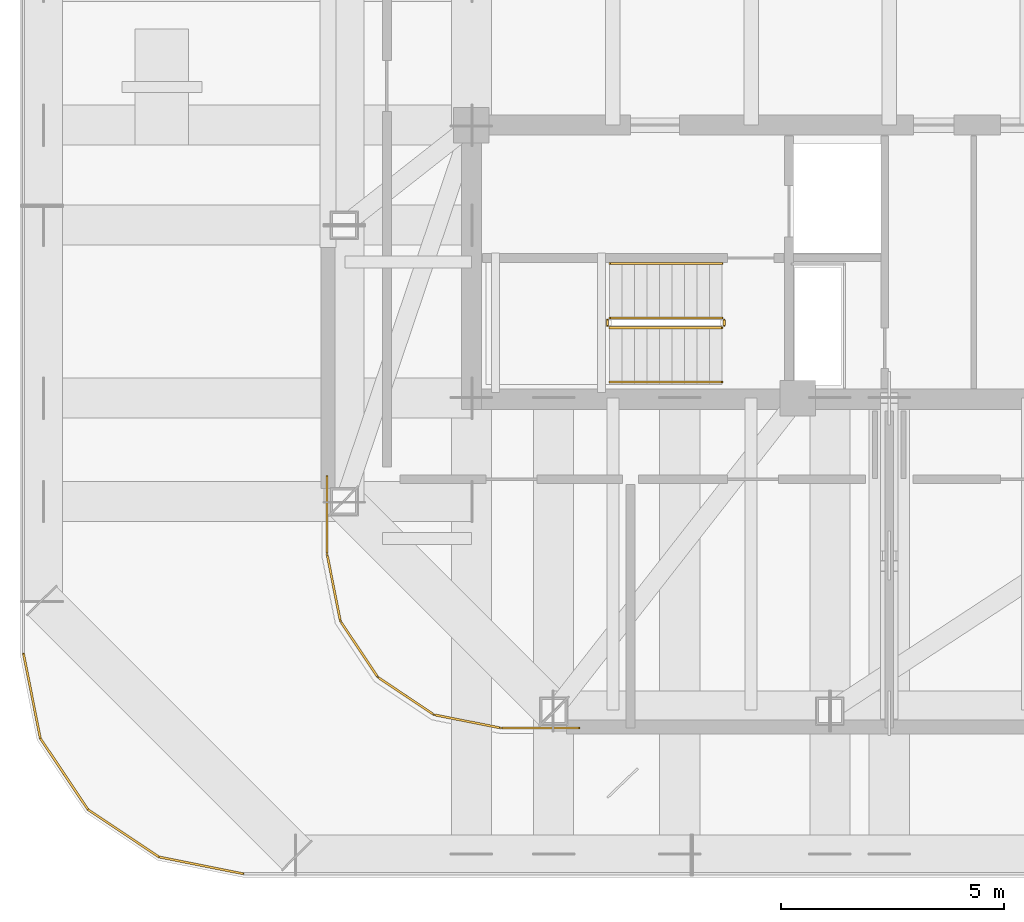
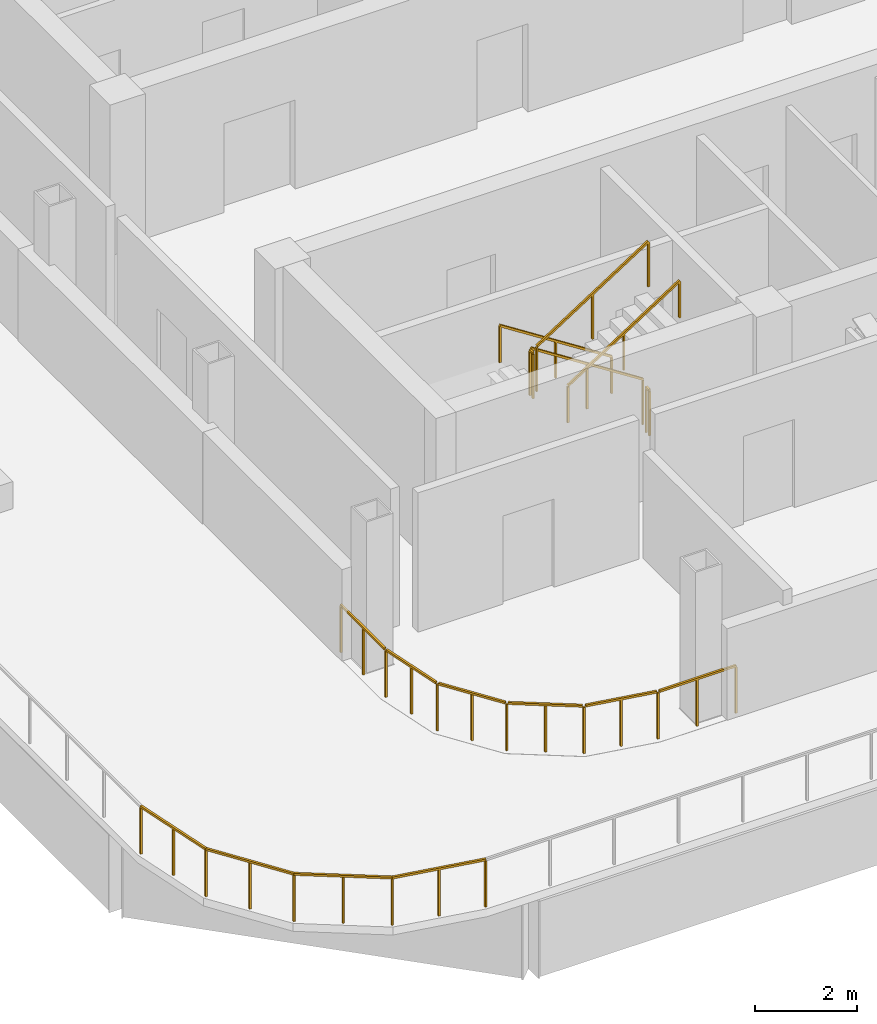
# One storey, part 7 of 10: 11 railings.
"""IFC4 building model written with IfcOpenShell, lengths in metres."""

from ifc_helpers import new_model, si_unit, direction, frame, origin, origin_2d, place, context, subcontext, project, spatial, rectangle, extrude, material, type_object, element, save


model = new_model("IFC4")

# Units and contexts
model_context = context("Model", 3, precision=1e-05, world=origin(), true_north=direction((0.0, 1.0)))
body_context = subcontext(model_context, "Body", "Model", "MODEL_VIEW")
ifc_project = project(units=[si_unit("LENGTHUNIT", "METRE"), si_unit("AREAUNIT", "SQUARE_METRE"), si_unit("VOLUMEUNIT", "CUBIC_METRE"), si_unit("PLANEANGLEUNIT", "RADIAN"), si_unit("MASSUNIT", "GRAM", prefix="KILO")], contexts=[model_context])

# Site, building, storey
site_placement = place(None, origin())
site = spatial("IfcSite", under=ifc_project, at=site_placement, CompositionType="ELEMENT")
building_placement = place(site_placement, origin())
building = spatial("IfcBuilding", under=site, at=building_placement, Name="Qhalaya Broadcast Tower", CompositionType="ELEMENT")
storey_placement = place(building_placement, frame((0.0, 0.0, 231.300048828125)))
storey = spatial("IfcBuildingStorey", under=building, at=storey_placement, Name="L68", CompositionType="ELEMENT", Elevation=231.300048828125)

# Railings
ifc_material = material(Name="Powder-Coated Galvanised Steel", Category="steel")
railing_type_1 = type_object("IfcRailingType", Name="Stair Wall Handrail 900", PredefinedType="HANDRAIL", material=ifc_material)
railing_1_placement = place(storey_placement, frame((-3.75, -5.72998046875, 0.179931640625)))
element("IfcRailing", 1, at=railing_1_placement, inside=storey, type_object=railing_type_1, Name="L68 ST-2 Stair Handrail 1", PredefinedType="HANDRAIL", context=body_context, shape_type="SweptSolid", body=[
    extrude(rectangle(XDim=0.048095703125, YDim=0.048095703125, at=origin_2d()), frame((0.0, 0.0, 0.8759765625), z_axis=(-0.841162588446, 0.0, 0.540782303519), x_axis=(0.0, -1.0, 0.0)), (0.0, 0.0, 1.0), 2.995849609375),
    extrude(rectangle(XDim=0.0419921875, YDim=0.0419921875, at=origin_2d()), origin(), (0.0, 0.0, 1.0), 0.849853515625),
    extrude(rectangle(XDim=0.0419921875, YDim=0.0419921875, at=origin_2d()), frame((-1.260009765625, 0.0, 0.81005859375)), (0.0, 0.0, 1.0), 0.849853515625),
    extrude(rectangle(XDim=0.0419921875, YDim=0.0419921875, at=origin_2d()), frame((-2.52001953125, 0.0, 1.6201171875)), (0.0, 0.0, 1.0), 0.849853515625),
])
railing_2_placement = place(storey_placement, frame((-6.27001953125, -8.389892578125, 1.97998046875)))
element("IfcRailing", 2, at=railing_2_placement, inside=storey, type_object=railing_type_1, Name="L68 ST-2 Stair Handrail 2", PredefinedType="HANDRAIL", context=body_context, shape_type="SweptSolid", body=[
    extrude(rectangle(XDim=0.048095703125, YDim=0.048095703125, at=origin_2d()), frame((0.0, 0.0, 0.8759765625), z_axis=(0.841199657755, 0.0, 0.540724639528), x_axis=(0.0, 1.0, 0.0)), (0.0, 0.0, 1.0), 2.995849609375),
    extrude(rectangle(XDim=0.0419921875, YDim=0.0419921875, at=origin_2d()), origin(), (0.0, 0.0, 1.0), 0.849853515625),
    extrude(rectangle(XDim=0.0419921875, YDim=0.0419921875, at=origin_2d()), frame((1.260009765625, 0.0, 0.81005859375)), (0.0, 0.0, 1.0), 0.849853515625),
    extrude(rectangle(XDim=0.0419921875, YDim=0.0419921875, at=origin_2d()), frame((2.52001953125, 0.0, 1.619873046875)), (0.0, 0.0, 1.0), 0.849853515625),
])
railing_type_2 = type_object("IfcRailingType", Name="Stair Well & Landing Guardrail 1100", PredefinedType="GUARDRAIL", material=ifc_material)
railing_3_placement = place(storey_placement, frame((-3.75, -6.949951171875, 0.179931640625)))
element("IfcRailing", 3, at=railing_3_placement, inside=storey, type_object=railing_type_2, Name="L68 ST-2 Stair Guard 1", PredefinedType="GUARDRAIL", context=body_context, shape_type="SweptSolid", body=[
    extrude(rectangle(XDim=0.048095703125, YDim=0.048095703125, at=origin_2d()), frame((0.0, 0.0, 1.076171875), z_axis=(-0.841162588446, 0.0, 0.540782303519), x_axis=(0.0, -1.0, 0.0)), (0.0, 0.0, 1.0), 2.995849609375),
    extrude(rectangle(XDim=0.0419921875, YDim=0.0419921875, at=origin_2d()), origin(), (0.0, 0.0, 1.0), 1.050048828125),
    extrude(rectangle(XDim=0.0419921875, YDim=0.0419921875, at=origin_2d()), frame((-1.260009765625, 0.0, 0.81005859375)), (0.0, 0.0, 1.0), 1.050048828125),
    extrude(rectangle(XDim=0.0419921875, YDim=0.0419921875, at=origin_2d()), frame((-2.52001953125, 0.0, 1.6201171875)), (0.0, 0.0, 1.0), 1.050048828125),
])
railing_4_placement = place(storey_placement, frame((-6.320068359375, -7.0, 1.800048828125)))
element("IfcRailing", 4, at=railing_4_placement, inside=storey, type_object=railing_type_2, Name="L68 ST-2 Stair Guard 2", PredefinedType="GUARDRAIL", context=body_context, shape_type="SweptSolid", body=[
    extrude(rectangle(XDim=0.048095703125, YDim=0.048095703125, at=origin_2d()), frame((0.0, 0.0, 1.076171875), z_axis=(0.0, -1.0, 0.0), x_axis=(1.0, 0.0, 0.0)), (0.0, 0.0, 1.0), 0.1201171875),
    extrude(rectangle(XDim=0.0419921875, YDim=0.0419921875, at=origin_2d()), origin(), (0.0, 0.0, 1.0), 1.050048828125),
    extrude(rectangle(XDim=0.0419921875, YDim=0.0419921875, at=origin_2d()), frame((0.0, -0.1201171875, 0.0)), (0.0, 0.0, 1.0), 1.050048828125),
])
railing_5_placement = place(storey_placement, frame((-6.27001953125, -7.169921875, 1.97998046875)))
element("IfcRailing", 5, at=railing_5_placement, inside=storey, type_object=railing_type_2, Name="L68 ST-2 Stair Guard 3", PredefinedType="GUARDRAIL", context=body_context, shape_type="SweptSolid", body=[
    extrude(rectangle(XDim=0.048095703125, YDim=0.048095703125, at=origin_2d()), frame((0.0, 0.0, 1.076171875), z_axis=(0.841199657755, 0.0, 0.540724639528), x_axis=(0.0, 1.0, 0.0)), (0.0, 0.0, 1.0), 2.995849609375),
    extrude(rectangle(XDim=0.0419921875, YDim=0.0419921875, at=origin_2d()), origin(), (0.0, 0.0, 1.0), 1.050048828125),
    extrude(rectangle(XDim=0.0419921875, YDim=0.0419921875, at=origin_2d()), frame((1.260009765625, 0.0, 0.81005859375)), (0.0, 0.0, 1.0), 1.050048828125),
    extrude(rectangle(XDim=0.0419921875, YDim=0.0419921875, at=origin_2d()), frame((2.52001953125, 0.0, 1.619873046875)), (0.0, 0.0, 1.0), 1.050048828125),
])
railing_6_placement = place(storey_placement, frame((-3.699951171875, -7.0, 0.0)))
element("IfcRailing", 6, at=railing_6_placement, inside=storey, type_object=railing_type_2, Name="L68 ST-2 Stair Guard 4", PredefinedType="GUARDRAIL", context=body_context, shape_type="SweptSolid", body=[
    extrude(rectangle(XDim=0.048095703125, YDim=0.048095703125, at=origin_2d()), frame((0.0, 0.0, 1.076171875), z_axis=(0.0, -1.0, 0.0), x_axis=(1.0, 0.0, 0.0)), (0.0, 0.0, 1.0), 0.1201171875),
    extrude(rectangle(XDim=0.0419921875, YDim=0.0419921875, at=origin_2d()), origin(), (0.0, 0.0, 1.0), 1.050048828125),
    extrude(rectangle(XDim=0.0419921875, YDim=0.0419921875, at=origin_2d()), frame((0.0, -0.1201171875, 0.0)), (0.0, 0.0, 1.0), 1.050048828125),
])
railing_type_3 = type_object("IfcRailingType", Name="Terrace, Sky-Pool & Lookout Glass Balustrade 1150", PredefinedType="BALUSTRADE", material=ifc_material)
railing_7_placement = place(storey_placement, frame((-14.4921875, -19.419921875, 0.0)))
element("IfcRailing", 7, at=railing_7_placement, inside=storey, type_object=railing_type_3, Name="L68 Perimeter Safety Balustrade BAL-TER1-02", PredefinedType="BALUSTRADE", context=body_context, shape_type="SweptSolid", body=[
    extrude(rectangle(XDim=0.048095703125, YDim=0.048095703125, at=origin_2d()), frame((0.0, 0.0, 1.1259765625), z_axis=(-0.980779962021, 0.195117057423, 0.0), x_axis=(-0.195117057423, -0.980779962021, 0.0)), (0.0, 0.0, 1.0), 1.927001953125),
    extrude(rectangle(XDim=0.0419921875, YDim=0.0419921875, at=origin_2d()), origin(), (0.0, 0.0, 1.0), 1.099853515625),
    extrude(rectangle(XDim=0.0419921875, YDim=0.0419921875, at=origin_2d()), frame((-0.94482421875, 0.18798828125, 0.0)), (0.0, 0.0, 1.0), 1.099853515625),
    extrude(rectangle(XDim=0.0419921875, YDim=0.0419921875, at=origin_2d()), frame((-1.889892578125, 0.3759765625, 0.0)), (0.0, 0.0, 1.0), 1.099853515625),
])
railing_8_placement = place(storey_placement, frame((-16.382080078125, -19.0439453125, 0.0)))
element("IfcRailing", 8, at=railing_8_placement, inside=storey, type_object=railing_type_3, Name="L68 Perimeter Safety Balustrade BAL-TER1-03", PredefinedType="BALUSTRADE", context=body_context, shape_type="SweptSolid", body=[
    extrude(rectangle(XDim=0.048095703125, YDim=0.048095703125, at=origin_2d()), frame((0.0, 0.0, 1.1259765625), z_axis=(-0.831482280715, 0.555551272932, 0.0), x_axis=(-0.555551272932, -0.831482280715, 0.0)), (0.0, 0.0, 1.0), 1.919189453125),
    extrude(rectangle(XDim=0.0419921875, YDim=0.0419921875, at=origin_2d()), origin(), (0.0, 0.0, 1.0), 1.099853515625),
    extrude(rectangle(XDim=0.0419921875, YDim=0.0419921875, at=origin_2d()), frame((-0.7978515625, 0.533203125, 0.0)), (0.0, 0.0, 1.0), 1.099853515625),
    extrude(rectangle(XDim=0.0419921875, YDim=0.0419921875, at=origin_2d()), frame((-1.595703125, 1.066162109375, 0.0)), (0.0, 0.0, 1.0), 1.099853515625),
])
railing_9_placement = place(storey_placement, frame((-17.977783203125, -17.977783203125, 0.0)))
element("IfcRailing", 9, at=railing_9_placement, inside=storey, type_object=railing_type_3, Name="L68 Perimeter Safety Balustrade BAL-TER1-04", PredefinedType="BALUSTRADE", context=body_context, shape_type="SweptSolid", body=[
    extrude(rectangle(XDim=0.048095703125, YDim=0.048095703125, at=origin_2d()), frame((0.0, 0.0, 1.1259765625), z_axis=(-0.555551272932, 0.831482280715, 0.0), x_axis=(-0.831482280715, -0.555551272932, 0.0)), (0.0, 0.0, 1.0), 1.919189453125),
    extrude(rectangle(XDim=0.0419921875, YDim=0.0419921875, at=origin_2d()), origin(), (0.0, 0.0, 1.0), 1.099853515625),
    extrude(rectangle(XDim=0.0419921875, YDim=0.0419921875, at=origin_2d()), frame((-0.533203125, 0.7978515625, 0.0)), (0.0, 0.0, 1.0), 1.099853515625),
    extrude(rectangle(XDim=0.0419921875, YDim=0.0419921875, at=origin_2d()), frame((-1.066162109375, 1.595703125, 0.0)), (0.0, 0.0, 1.0), 1.099853515625),
])
railing_10_placement = place(storey_placement, frame((-19.0439453125, -16.382080078125, 0.0)))
element("IfcRailing", 10, at=railing_10_placement, inside=storey, type_object=railing_type_3, Name="L68 Perimeter Safety Balustrade BAL-TER1-05", PredefinedType="BALUSTRADE", context=body_context, shape_type="SweptSolid", body=[
    extrude(rectangle(XDim=0.048095703125, YDim=0.048095703125, at=origin_2d()), frame((0.0, 0.0, 1.1259765625), z_axis=(-0.195117057423, 0.980779962021, 0.0), x_axis=(-0.980779962021, -0.195117057423, 0.0)), (0.0, 0.0, 1.0), 1.927001953125),
    extrude(rectangle(XDim=0.0419921875, YDim=0.0419921875, at=origin_2d()), origin(), (0.0, 0.0, 1.0), 1.099853515625),
    extrude(rectangle(XDim=0.0419921875, YDim=0.0419921875, at=origin_2d()), frame((-0.18798828125, 0.94482421875, 0.0)), (0.0, 0.0, 1.0), 1.099853515625),
    extrude(rectangle(XDim=0.0419921875, YDim=0.0419921875, at=origin_2d()), frame((-0.3759765625, 1.889892578125, 0.0)), (0.0, 0.0, 1.0), 1.099853515625),
])
railing_11_placement = place(storey_placement, frame((-6.9619140625, -16.14990234375, 0.0)))
element("IfcRailing", 11, at=railing_11_placement, inside=storey, type_object=railing_type_3, Name="L68 Rounded Corner Perimeter Guard 02", PredefinedType="BALUSTRADE", context=body_context, shape_type="SweptSolid", body=[
    extrude(rectangle(XDim=0.048095703125, YDim=0.048095703125, at=origin_2d()), frame((0.0, 0.0, 1.1259765625), z_axis=(-1.0, 0.0, 0.0), x_axis=(0.0, -1.0, 0.0)), (0.0, 0.0, 1.0), 1.7275390625),
    extrude(rectangle(XDim=0.048095703125, YDim=0.048095703125, at=origin_2d()), frame((-1.78466796875, 0.005615234375, 1.1259765625), z_axis=(-0.980801732738, 0.195007592307, 0.0), x_axis=(-0.195007592307, -0.980801732738, 0.0)), (0.0, 0.0, 1.0), 1.46728515625),
    extrude(rectangle(XDim=0.048095703125, YDim=0.048095703125, at=origin_2d()), frame((-3.27587890625, 0.3134765625, 1.1259765625), z_axis=(-0.83147889372, 0.555556342146, 0.0), x_axis=(-0.555556342146, -0.83147889372, 0.0)), (0.0, 0.0, 1.0), 1.455322265625),
    extrude(rectangle(XDim=0.048095703125, YDim=0.048095703125, at=origin_2d()), frame((-4.526123046875, 1.161865234375, 1.1259765625), z_axis=(-0.555556342146, 0.83147889372, 0.0), x_axis=(-0.83147889372, -0.555556342146, 0.0)), (0.0, 0.0, 1.0), 1.455322265625),
    extrude(rectangle(XDim=0.048095703125, YDim=0.048095703125, at=origin_2d()), frame((-5.356201171875, 2.42431640625, 1.1259765625), z_axis=(-0.195161601391, 0.980771099361, 0.0), x_axis=(-0.980771099361, -0.195161601391, 0.0)), (0.0, 0.0, 1.0), 1.46728515625),
    extrude(rectangle(XDim=0.048095703125, YDim=0.048095703125, at=origin_2d()), frame((-5.648193359375, 3.92041015625, 1.1259765625), z_axis=(0.0, 1.0, 0.0), x_axis=(-1.0, 0.0, 0.0)), (0.0, 0.0, 1.0), 1.7275390625),
    extrude(rectangle(XDim=0.0419921875, YDim=0.0419921875, at=origin_2d()), origin(), (0.0, 0.0, 1.0), 1.099853515625),
    extrude(rectangle(XDim=0.0419921875, YDim=0.0419921875, at=origin_2d()), frame((-0.878173828125, 0.0, 0.0)), (0.0, 0.0, 1.0), 1.099853515625),
    extrude(rectangle(XDim=0.0419921875, YDim=0.0419921875, at=origin_2d()), frame((-1.75634765625, 0.0, 0.0)), (0.0, 0.0, 1.0), 1.099853515625),
    extrude(rectangle(XDim=0.0419921875, YDim=0.0419921875, at=origin_2d()), frame((-2.504150390625, 0.148681640625, 0.0)), (0.0, 0.0, 1.0), 1.099853515625),
    extrude(rectangle(XDim=0.0419921875, YDim=0.0419921875, at=origin_2d()), frame((-3.251953125, 0.29736328125, 0.0)), (0.0, 0.0, 1.0), 1.099853515625),
    extrude(rectangle(XDim=0.0419921875, YDim=0.0419921875, at=origin_2d()), frame((-3.880859375, 0.7177734375, 0.0)), (0.0, 0.0, 1.0), 1.099853515625),
    extrude(rectangle(XDim=0.0419921875, YDim=0.0419921875, at=origin_2d()), frame((-4.510009765625, 1.137939453125, 0.0)), (0.0, 0.0, 1.0), 1.099853515625),
    extrude(rectangle(XDim=0.0419921875, YDim=0.0419921875, at=origin_2d()), frame((-4.93017578125, 1.76708984375, 0.0)), (0.0, 0.0, 1.0), 1.099853515625),
    extrude(rectangle(XDim=0.0419921875, YDim=0.0419921875, at=origin_2d()), frame((-5.3505859375, 2.39599609375, 0.0)), (0.0, 0.0, 1.0), 1.099853515625),
    extrude(rectangle(XDim=0.0419921875, YDim=0.0419921875, at=origin_2d()), frame((-5.49951171875, 3.143798828125, 0.0)), (0.0, 0.0, 1.0), 1.099853515625),
    extrude(rectangle(XDim=0.0419921875, YDim=0.0419921875, at=origin_2d()), frame((-5.648193359375, 3.8916015625, 0.0)), (0.0, 0.0, 1.0), 1.099853515625),
    extrude(rectangle(XDim=0.0419921875, YDim=0.0419921875, at=origin_2d()), frame((-5.648193359375, 4.769775390625, 0.0)), (0.0, 0.0, 1.0), 1.099853515625),
    extrude(rectangle(XDim=0.0419921875, YDim=0.0419921875, at=origin_2d()), frame((-5.648193359375, 5.64794921875, 0.0)), (0.0, 0.0, 1.0), 1.099853515625),
])

save(model, "model.ifc")
